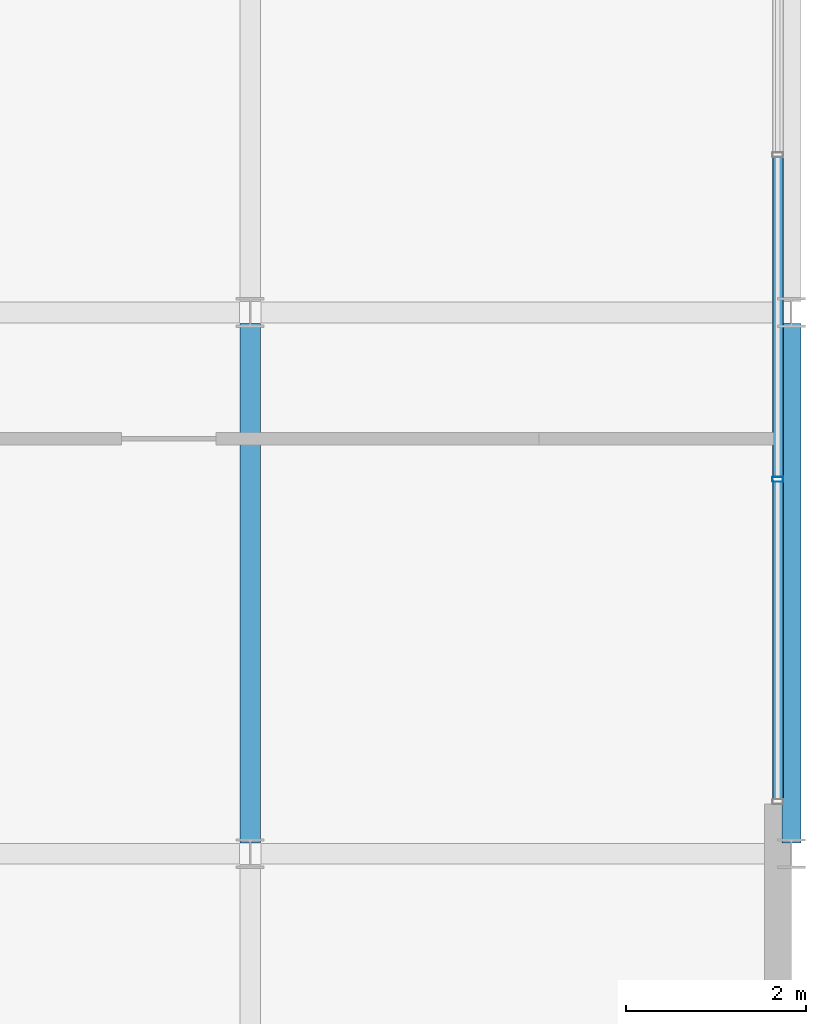
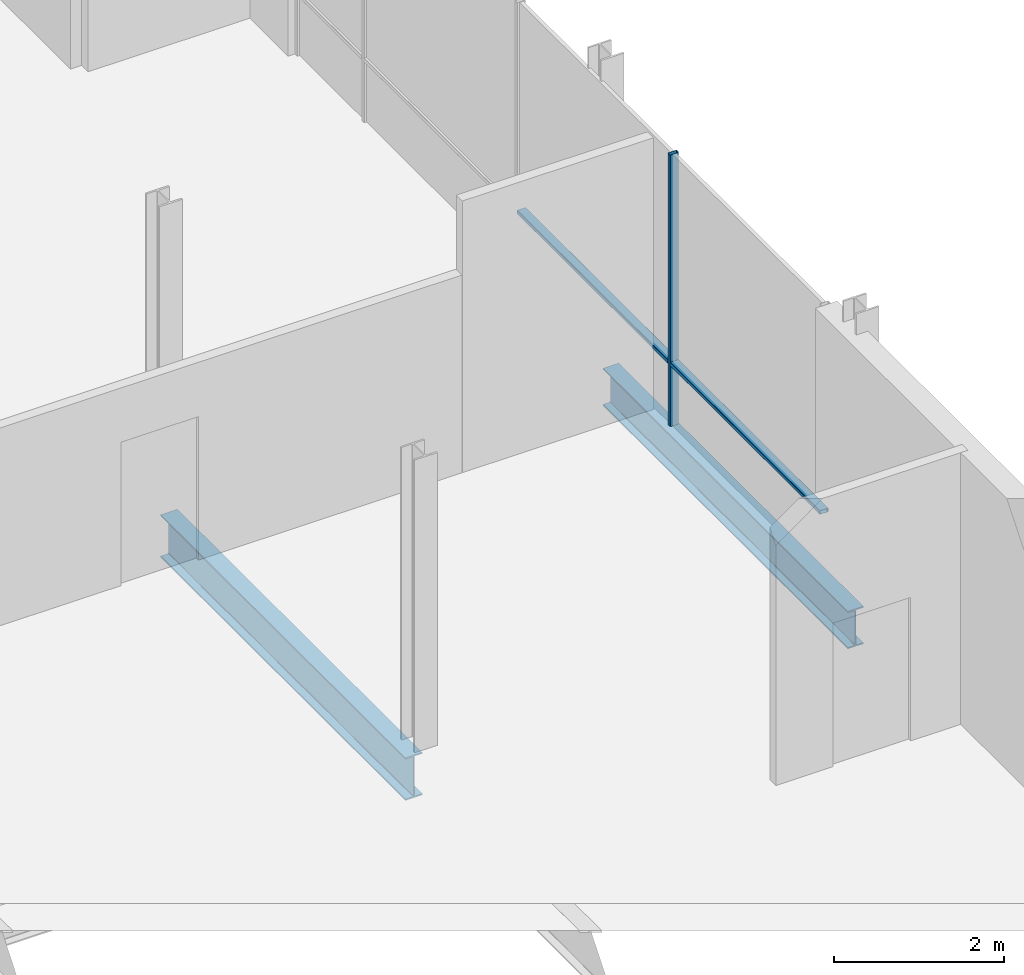
# One storey, part 7 of 11: 3 members, 2 beams, 1 element without a shape of its own.
"""IFC4 building model written with IfcOpenShell, lengths in metres."""

from ifc_helpers import new_model, si_unit, direction, frame, origin, origin_2d, place, context, subcontext, project, spatial, hollow_rectangle, i_section, extrude, material, layer, layer_set, material_profile, profile_set, type_object, element, aggregate, save


model = new_model("IFC4")

# Units and contexts
model_context = context("Model", 3, precision=1e-05, world=origin(), true_north=direction((0.0, 1.0)))
body_context = subcontext(model_context, "Body", "Model", "MODEL_VIEW")
ifc_project = project(units=[si_unit("LENGTHUNIT", "METRE"), si_unit("AREAUNIT", "SQUARE_METRE"), si_unit("VOLUMEUNIT", "CUBIC_METRE"), si_unit("PLANEANGLEUNIT", "RADIAN"), si_unit("MASSUNIT", "GRAM", prefix="KILO")], contexts=[model_context])

# Site, building, storey
site_placement = place(None, origin())
site = spatial("IfcSite", under=ifc_project, at=site_placement, CompositionType="ELEMENT")
building_placement = place(site_placement, origin())
building = spatial("IfcBuilding", under=site, at=building_placement, Name="Brevholm Reach", CompositionType="ELEMENT")
storey_placement = place(building_placement, frame((0.0, 0.0, 247.25)))
storey = spatial("IfcBuildingStorey", under=building, at=storey_placement, Name="L75", CompositionType="ELEMENT", Elevation=247.25)

# Beams
ifc_material_1 = material(Name="Structural Steel S355J2", Category="steel")
ifc_material_profile_1 = material_profile(ifc_material_1, i_section(OverallWidth=0.210693359375, OverallDepth=0.53955078125, WebThickness=0.01171875, FlangeThickness=0.018798828125, FilletRadius=0.0126953125, at=origin_2d()), Name="UKB 533x210x109")
ifc_profile_set_1 = profile_set([ifc_material_profile_1], Name="Structural Steel S355J2")
beam_type_1 = type_object("IfcBeamType", Name="BM-SP539", PredefinedType="SPANDREL", material=ifc_profile_set_1)
beam_1_placement = place(storey_placement, frame((60.0, 10.1201171875, -0.52978515625), z_axis=(0.0, 1.0, 0.0), x_axis=(-1.0, 0.0, 0.0)))
element("IfcBeam", 1, at=beam_1_placement, inside=storey, type_object=beam_type_1, Name="L75 SP-01B Framing Beam", PredefinedType="SPANDREL", context=body_context, shape_type="SweptSolid", body=[
    extrude(i_section(OverallWidth=0.210693359375, OverallDepth=0.53955078125, WebThickness=0.01171875, FlangeThickness=0.018798828125, FilletRadius=0.0126953125, at=origin_2d()), origin(), (0.0, 0.0, 1.0), 5.759765625),
])
ifc_material_2 = material(Name="Structural Steel S355J2", Category="steel")
ifc_material_profile_2 = material_profile(ifc_material_2, i_section(OverallWidth=0.22900390625, OverallDepth=0.6123046875, WebThickness=0.011962890625, FlangeThickness=0.01953125, FilletRadius=0.0126953125, at=origin_2d()), Name="UKB 610x229x125")
ifc_profile_set_2 = profile_set([ifc_material_profile_2], Name="Structural Steel S355J2")
beam_type_2 = type_object("IfcBeamType", Name="BM-SP610", PredefinedType="SPANDREL", material=ifc_profile_set_2)
beam_2_placement = place(storey_placement, frame((54.0, 10.1201171875, -0.566162109375), z_axis=(0.0, 1.0, 0.0), x_axis=(-1.0, 0.0, 0.0)))
element("IfcBeam", 2, at=beam_2_placement, inside=storey, type_object=beam_type_2, Name="L75 SP-01 Framing Beam", PredefinedType="SPANDREL", context=body_context, shape_type="SweptSolid", body=[
    extrude(i_section(OverallWidth=0.22900390625, OverallDepth=0.6123046875, WebThickness=0.011962890625, FlangeThickness=0.01953125, FilletRadius=0.0126953125, at=origin_2d()), origin(), (0.0, 0.0, 1.0), 5.759765625),
])

# Curtain wall, members
ifc_material_3 = material(Name="Dark Anodised Aluminium 6063-T6 and Solar-Control Glass", Category="aluminium")
ifc_layer = layer(ifc_material_3, 0.1201171875)
ifc_layer_set = layer_set([ifc_layer], Name="Dark Anodised Aluminium 6063-T6 and Solar-Control Glass")
curtain_wall_type = type_object("IfcCurtainWallType", Name="CW-06", PredefinedType="NOTDEFINED", material=ifc_layer_set)
curtain_wall_placement = place(storey_placement, origin())
curtain_wall = element("IfcCurtainWall", 3, at=curtain_wall_placement, inside=storey, type_object=curtain_wall_type, Name="L75 Curtain Wall CW-06", PredefinedType="NOTDEFINED")
ifc_material_4 = material(Name="Dark Anodised Aluminium 6063-T6", Category="aluminium")
ifc_material_profile_3 = material_profile(ifc_material_4, hollow_rectangle(XDim=0.054931640625, YDim=0.1201171875, WallThickness=0.00390625, InnerFilletRadius=0.00390625, OuterFilletRadius=0.008056640625, at=origin_2d()), Name="RHS 120x55x4")
ifc_profile_set_3 = profile_set([ifc_material_profile_3], Name="Dark Anodised Aluminium 6063-T6")
member_type_1 = type_object("IfcMemberType", Name="CWM-120", PredefinedType="MULLION", material=ifc_profile_set_3)
member_1_placement = place(storey_placement, frame((59.85009765625, 14.14990234375, 0.0), z_axis=(0.0, 0.0, 1.0), x_axis=(0.0, 1.0, 0.0)))
member_1 = element("IfcMember", 4, at=member_1_placement, type_object=member_type_1, Name="CM-120 Mullion 2", PredefinedType="MULLION", context=body_context, shape_type="SweptSolid", body=[
    extrude(hollow_rectangle(XDim=0.054931640625, YDim=0.1201171875, WallThickness=0.00390625, InnerFilletRadius=0.00390625, OuterFilletRadius=0.008056640625, at=origin_2d()), origin(), (0.0, 0.0, 1.0), 3.89990234375),
])
ifc_material_5 = material(Name="Dark Anodised Aluminium 6063-T6", Category="aluminium")
ifc_material_profile_4 = material_profile(ifc_material_5, hollow_rectangle(XDim=0.054931640625, YDim=0.1201171875, WallThickness=0.00390625, InnerFilletRadius=0.00390625, OuterFilletRadius=0.008056640625, at=origin_2d()), Name="RHS 120x55x4")
ifc_profile_set_4 = profile_set([ifc_material_profile_4], Name="Dark Anodised Aluminium 6063-T6")
member_type_2 = type_object("IfcMemberType", Name="CWT-120", PredefinedType="NOTDEFINED", material=ifc_profile_set_4)
member_2_placement = place(storey_placement, frame((59.85009765625, 10.60498046875, 0.89990234375), z_axis=(0.0, 1.0, 0.0), x_axis=(0.0, 0.0, 1.0)))
member_2 = element("IfcMember", 5, at=member_2_placement, type_object=member_type_2, Name="CT-120 Transom 1.1", ObjectType="TRANSOM", PredefinedType="USERDEFINED", context=body_context, shape_type="SweptSolid", body=[
    extrude(hollow_rectangle(XDim=0.054931640625, YDim=0.1201171875, WallThickness=0.00390625, InnerFilletRadius=0.00390625, OuterFilletRadius=0.008056640625, at=origin_2d()), origin(), (0.0, 0.0, 1.0), 3.517578125),
])
member_3_placement = place(storey_placement, frame((59.85009765625, 14.177490234375, 0.89990234375), z_axis=(0.0, 1.0, 0.0), x_axis=(0.0, 0.0, 1.0)))
member_3 = element("IfcMember", 6, at=member_3_placement, type_object=member_type_2, Name="CT-120 Transom 2.1", ObjectType="TRANSOM", PredefinedType="USERDEFINED", context=body_context, shape_type="SweptSolid", body=[
    extrude(hollow_rectangle(XDim=0.054931640625, YDim=0.1201171875, WallThickness=0.00390625, InnerFilletRadius=0.00390625, OuterFilletRadius=0.008056640625, at=origin_2d()), origin(), (0.0, 0.0, 1.0), 3.544921875),
])
aggregate(curtain_wall, [member_1, member_2, member_3])

save(model, "model.ifc")
